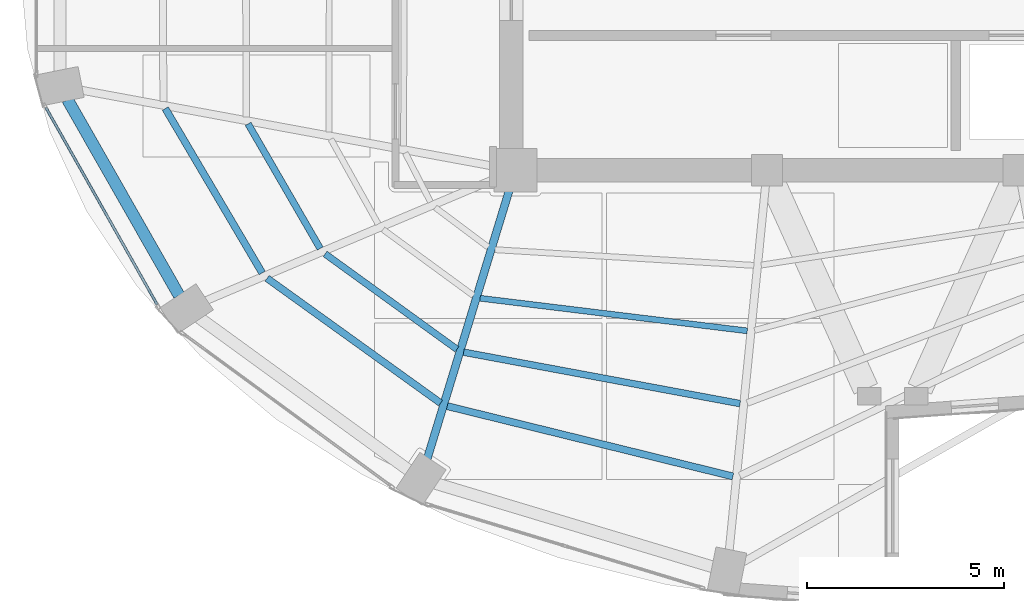
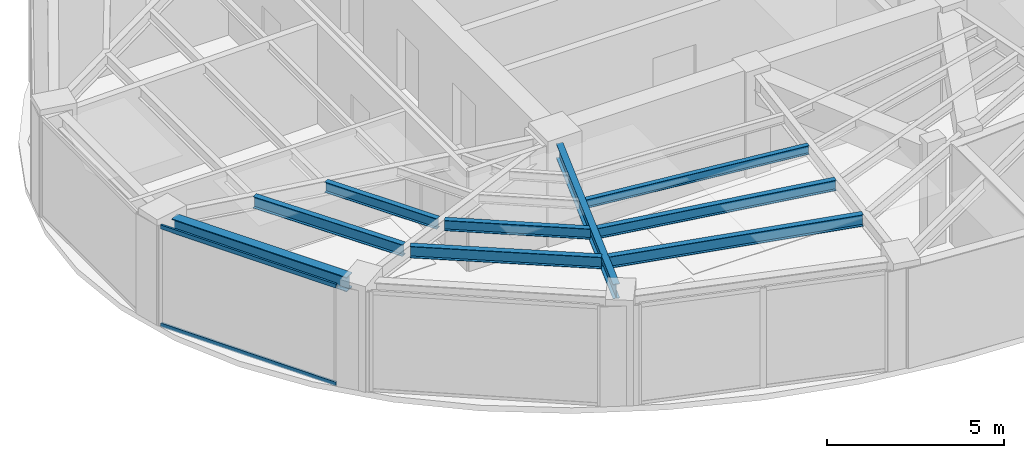
# One storey, part 3 of 22: 9 beams, 2 members, 1 element without a shape of its own.
"""IFC4 building model written with IfcOpenShell, lengths in metres."""

from ifc_helpers import new_model, si_unit, direction, frame, origin, origin_2d, place, context, subcontext, project, spatial, hollow_rectangle, i_section, extrude, material, layer, layer_set, material_profile, profile_set, type_object, element, aggregate, save


model = new_model("IFC4")

# Units and contexts
model_context = context("Model", 3, precision=1e-05, world=origin(), true_north=direction((0.0, 1.0)))
body_context = subcontext(model_context, "Body", "Model", "MODEL_VIEW")
ifc_project = project(units=[si_unit("LENGTHUNIT", "METRE"), si_unit("AREAUNIT", "SQUARE_METRE"), si_unit("VOLUMEUNIT", "CUBIC_METRE"), si_unit("PLANEANGLEUNIT", "RADIAN"), si_unit("MASSUNIT", "GRAM", prefix="KILO")], contexts=[model_context])

# Site, building, storey
site_placement = place(None, origin())
site = spatial("IfcSite", under=ifc_project, at=site_placement, CompositionType="ELEMENT")
building_placement = place(site_placement, origin())
building = spatial("IfcBuilding", under=site, at=building_placement, Name="Lazwardi Medical Tower", CompositionType="ELEMENT")
storey_placement = place(building_placement, frame((0.0, 0.0, 227.6640625)))
storey = spatial("IfcBuildingStorey", under=building, at=storey_placement, Name="L59", CompositionType="ELEMENT", Elevation=227.6640625)

# Beams
ifc_material_1 = material(Name="Steel S355", Category="steel")
ifc_material_profile_1 = material_profile(ifc_material_1, i_section(OverallWidth=0.300048828125, OverallDepth=0.5, WebThickness=0.014404296875, FlangeThickness=0.028076171875, at=origin_2d()), Name="HEB 500")
ifc_profile_set_1 = profile_set([ifc_material_profile_1], Name="Steel S355")
beam_type_1 = type_object("IfcBeamType", Name="BM-RB-Z4", PredefinedType="BEAM", material=ifc_profile_set_1)
beam_1_placement = place(storey_placement, frame((15.008056640625, 22.1982421875, 3.197998046875), z_axis=(0.495125273299, -0.868821594886, 0.0), x_axis=(0.868821594886, 0.495125273299, 0.0)))
element("IfcBeam", 1, at=beam_1_placement, inside=storey, type_object=beam_type_1, Name="Ring beam RB-05 B13 L59", PredefinedType="BEAM", context=body_context, shape_type="SweptSolid", body=[
    extrude(i_section(OverallWidth=0.300048828125, OverallDepth=0.5, WebThickness=0.014404296875, FlangeThickness=0.028076171875, at=origin_2d()), origin(), (0.0, 0.0, 1.0), 5.734130859375),
])
ifc_material_profile_2 = material_profile(ifc_material_1, i_section(OverallWidth=0.199951171875, OverallDepth=0.5, WebThickness=0.01025390625, FlangeThickness=0.01611328125, at=origin_2d()), Name="IPE 500")
ifc_profile_set_2 = profile_set([ifc_material_profile_2], Name="Steel S355")
beam_type_2 = type_object("IfcBeamType", Name="BM-RG-W3", PredefinedType="BEAM", material=ifc_profile_set_2)
beam_2_placement = place(storey_placement, frame((24.156005859375, 13.0576171875, 3.197998046875), z_axis=(0.292276716539, 0.956333791607, 0.0), x_axis=(-0.956333791607, 0.292276716539, 0.0)))
element("IfcBeam", 2, at=beam_2_placement, inside=storey, type_object=beam_type_2, Name="Radial girder RG-04 R15 L59", PredefinedType="BEAM", context=body_context, shape_type="SweptSolid", body=[
    extrude(i_section(OverallWidth=0.199951171875, OverallDepth=0.5, WebThickness=0.01025390625, FlangeThickness=0.01611328125, at=origin_2d()), origin(), (0.0, 0.0, 1.0), 7.142822265625),
])
ifc_material_profile_3 = material_profile(ifc_material_1, i_section(OverallWidth=0.179931640625, OverallDepth=0.39990234375, WebThickness=0.008544921875, FlangeThickness=0.013427734375, at=origin_2d()), Name="IPE 400")
ifc_profile_set_3 = profile_set([ifc_material_profile_3], Name="Steel S355")
beam_type_3 = type_object("IfcBeamType", Name="BM-SJ-01", PredefinedType="JOIST", material=ifc_profile_set_3)
beam_3_placement = place(storey_placement, frame((17.495849609375, 21.969482421875, 3.248046875), z_axis=(0.507710311367, -0.861527851977, 0.0), x_axis=(0.861527851977, 0.507710311367, 0.0)))
element("IfcBeam", 3, at=beam_3_placement, inside=storey, type_object=beam_type_3, Name="Secondary joist SJ-01 R1 B13 L59", PredefinedType="JOIST", context=body_context, shape_type="SweptSolid", body=[
    extrude(i_section(OverallWidth=0.179931640625, OverallDepth=0.39990234375, WebThickness=0.008544921875, FlangeThickness=0.013427734375, at=origin_2d()), origin(), (0.0, 0.0, 1.0), 4.852783203125),
])
beam_4_placement = place(storey_placement, frame((20.085205078125, 17.651123046875, 3.248046875), z_axis=(0.811889581337, -0.58381102055, 0.0), x_axis=(0.58381102055, 0.811889581337, 0.0)))
element("IfcBeam", 4, at=beam_4_placement, inside=storey, type_object=beam_type_3, Name="Secondary joist SJ-01 R1 B14 L59", PredefinedType="JOIST", context=body_context, shape_type="SweptSolid", body=[
    extrude(i_section(OverallWidth=0.179931640625, OverallDepth=0.39990234375, WebThickness=0.008544921875, FlangeThickness=0.013427734375, at=origin_2d()), origin(), (0.0, 0.0, 1.0), 5.433349609375),
])
beam_5_placement = place(storey_placement, frame((24.665771484375, 14.40087890625, 3.248046875), z_axis=(0.971041669317, -0.238910184904, 0.0), x_axis=(0.238910184904, 0.971041669317, 0.0)))
element("IfcBeam", 5, at=beam_5_placement, inside=storey, type_object=beam_type_3, Name="Secondary joist SJ-01 R1 B15 L59", PredefinedType="JOIST", context=body_context, shape_type="SweptSolid", body=[
    extrude(i_section(OverallWidth=0.179931640625, OverallDepth=0.39990234375, WebThickness=0.008544921875, FlangeThickness=0.013427734375, at=origin_2d()), origin(), (0.0, 0.0, 1.0), 7.482421875),
])
ifc_material_profile_4 = material_profile(ifc_material_1, i_section(OverallWidth=0.169921875, OverallDepth=0.360107421875, WebThickness=0.008056640625, FlangeThickness=0.0126953125, at=origin_2d()), Name="IPE 360")
ifc_profile_set_4 = profile_set([ifc_material_profile_4], Name="Steel S355")
beam_type_4 = type_object("IfcBeamType", Name="BM-SJ-02", PredefinedType="JOIST", material=ifc_profile_set_4)
beam_6_placement = place(storey_placement, frame((19.601806640625, 21.58056640625, 3.267822265625), z_axis=(0.500655179543, -0.865646805109, 0.0), x_axis=(0.865646805109, 0.500655179543, 0.0)))
element("IfcBeam", 6, at=beam_6_placement, inside=storey, type_object=beam_type_4, Name="Secondary joist SJ-02 R2 B13 L59", PredefinedType="JOIST", context=body_context, shape_type="SweptSolid", body=[
    extrude(i_section(OverallWidth=0.169921875, OverallDepth=0.360107421875, WebThickness=0.008056640625, FlangeThickness=0.0126953125, at=origin_2d()), origin(), (0.0, 0.0, 1.0), 3.662109375),
])
beam_7_placement = place(storey_placement, frame((21.559814453125, 18.2724609375, 3.267822265625), z_axis=(0.810164229155, -0.586202969796, 0.0), x_axis=(0.586202969796, 0.810164229155, 0.0)))
element("IfcBeam", 7, at=beam_7_placement, inside=storey, type_object=beam_type_4, Name="Secondary joist SJ-02 R2 B14 L59", PredefinedType="JOIST", context=body_context, shape_type="SweptSolid", body=[
    extrude(i_section(OverallWidth=0.169921875, OverallDepth=0.360107421875, WebThickness=0.008056640625, FlangeThickness=0.0126953125, at=origin_2d()), origin(), (0.0, 0.0, 1.0), 4.14013671875),
])
beam_8_placement = place(storey_placement, frame((25.08447265625, 15.7724609375, 3.267822265625), z_axis=(0.983132476587, -0.182894870019, 0.0), x_axis=(0.182894870019, 0.983132476587, 0.0)))
element("IfcBeam", 8, at=beam_8_placement, inside=storey, type_object=beam_type_4, Name="Secondary joist SJ-02 R2 B15 L59", PredefinedType="JOIST", context=body_context, shape_type="SweptSolid", body=[
    extrude(i_section(OverallWidth=0.169921875, OverallDepth=0.360107421875, WebThickness=0.008056640625, FlangeThickness=0.0126953125, at=origin_2d()), origin(), (0.0, 0.0, 1.0), 7.15087890625),
])
ifc_material_profile_5 = material_profile(ifc_material_1, i_section(OverallWidth=0.14990234375, OverallDepth=0.300048828125, WebThickness=0.007080078125, FlangeThickness=0.0107421875, at=origin_2d()), Name="IPE 300")
ifc_profile_set_5 = profile_set([ifc_material_profile_5], Name="Steel S355")
beam_type_5 = type_object("IfcBeamType", Name="BM-SJ-03", PredefinedType="JOIST", material=ifc_profile_set_5)
beam_9_placement = place(storey_placement, frame((25.5029296875, 17.14453125, 3.2978515625), z_axis=(0.992634689535, -0.121146081783, 0.0), x_axis=(0.121146081783, 0.992634689535, 0.0)))
element("IfcBeam", 9, at=beam_9_placement, inside=storey, type_object=beam_type_5, Name="Secondary joist SJ-03 R3 B15 L59", PredefinedType="JOIST", context=body_context, shape_type="SweptSolid", body=[
    extrude(i_section(OverallWidth=0.14990234375, OverallDepth=0.300048828125, WebThickness=0.007080078125, FlangeThickness=0.0107421875, at=origin_2d()), origin(), (0.0, 0.0, 1.0), 6.845947265625),
])

# Curtain wall, members
ifc_material_2 = material(Name="Anodised bronze aluminium and solar control glazing", Category="aluminium")
ifc_layer = layer(ifc_material_2, 0.18994140625)
ifc_layer_set = layer_set([ifc_layer], Name="Anodised bronze aluminium and solar control glazing")
curtain_wall_type = type_object("IfcCurtainWallType", Name="CW-SYS-04", PredefinedType="NOTDEFINED", material=ifc_layer_set)
curtain_wall_placement = place(storey_placement, origin())
curtain_wall = element("IfcCurtainWall", 10, at=curtain_wall_placement, inside=storey, type_object=curtain_wall_type, Name="L59 Unitised bronze curtain wall CW-04", PredefinedType="NOTDEFINED")
ifc_material_3 = material(Name="Anodised bronze aluminium", Category="aluminium")
ifc_material_profile_6 = material_profile(ifc_material_3, hollow_rectangle(XDim=0.06494140625, YDim=0.139892578125, WallThickness=0.00341796875, at=origin_2d()), Name="ALU-TRANSOM 140x65x3.5")
ifc_profile_set_6 = profile_set([ifc_material_profile_6], Name="Anodised bronze aluminium")
member_type = type_object("IfcMemberType", Name="CW-TRN-03", PredefinedType="USERDEFINED", material=ifc_profile_set_6)
member_1_placement = place(storey_placement, frame((14.458740234375, 21.993408203125, 0.032470703125), z_axis=(0.491897887635, -0.870652897623, 0.0), x_axis=(0.870652897623, 0.491897887635, 0.0)))
member_1 = element("IfcMember", 11, at=member_1_placement, type_object=member_type, Name="CW-04 transom 1.1", ObjectType="TRANSOM", PredefinedType="USERDEFINED", context=body_context, shape_type="SweptSolid", body=[
    extrude(hollow_rectangle(XDim=0.06494140625, YDim=0.139892578125, WallThickness=0.00341796875, at=origin_2d()), origin(), (0.0, 0.0, 1.0), 5.7548828125),
])
member_2_placement = place(storey_placement, frame((14.458740234375, 21.993408203125, 3.41552734375), z_axis=(0.491897887635, -0.870652897623, 0.0), x_axis=(0.870652897623, 0.491897887635, 0.0)))
member_2 = element("IfcMember", 12, at=member_2_placement, type_object=member_type, Name="CW-04 transom 1.2", ObjectType="TRANSOM", PredefinedType="USERDEFINED", context=body_context, shape_type="SweptSolid", body=[
    extrude(hollow_rectangle(XDim=0.06494140625, YDim=0.139892578125, WallThickness=0.00341796875, at=origin_2d()), origin(), (0.0, 0.0, 1.0), 5.7548828125),
])
aggregate(curtain_wall, [member_1, member_2])

save(model, "model.ifc")
